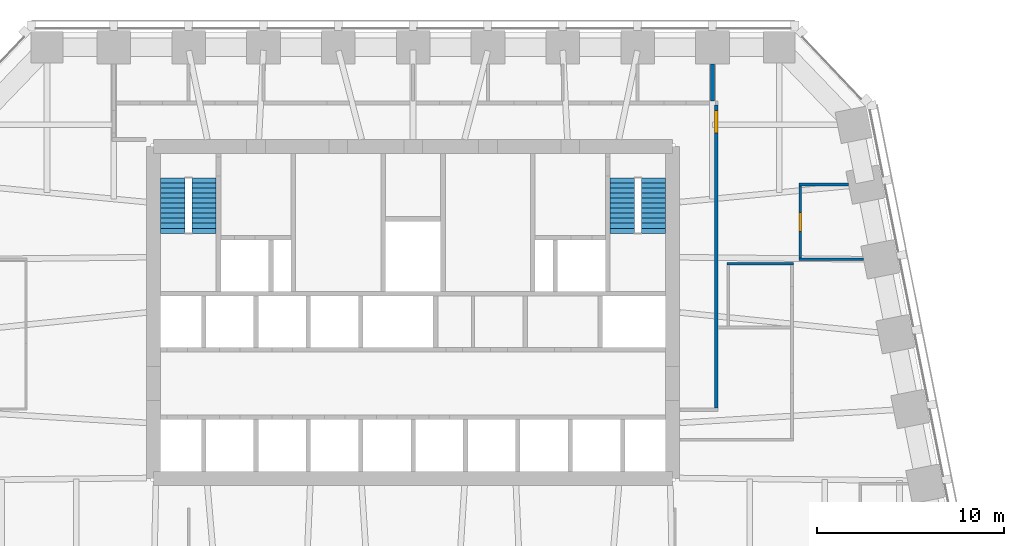
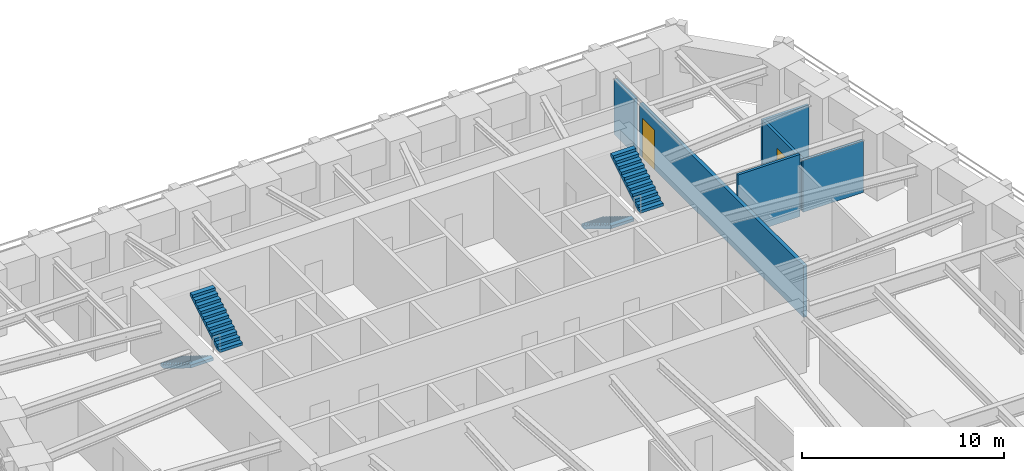
# One storey, part 8 of 10: 6 walls, 4 stair flights, 2 doors, 2 openings, 2 elements without a shape of their own.
"""IFC4 building model written with IfcOpenShell, lengths in metres."""

from ifc_helpers import new_model, si_unit, direction, frame, frame_2d, origin, place, context, subcontext, project, spatial, polyline, rectangle, outline, extrude, material, layer, layer_set, type_object, element, fill, aggregate, save


model = new_model("IFC4")

# Units and contexts
model_context = context("Model", 3, precision=1e-05, world=origin(), true_north=direction((0.0, 1.0)))
body_context = subcontext(model_context, "Body", "Model", "MODEL_VIEW")
ifc_project = project(units=[si_unit("LENGTHUNIT", "METRE"), si_unit("AREAUNIT", "SQUARE_METRE"), si_unit("VOLUMEUNIT", "CUBIC_METRE"), si_unit("PLANEANGLEUNIT", "RADIAN"), si_unit("MASSUNIT", "GRAM", prefix="KILO")], contexts=[model_context])

# Site, building, storey
site_placement = place(None, origin())
site = spatial("IfcSite", under=ifc_project, at=site_placement, CompositionType="ELEMENT")
building_placement = place(site_placement, origin())
building = spatial("IfcBuilding", under=site, at=building_placement, Name="Isbrekke Arena Tower", CompositionType="ELEMENT")
storey_placement = place(building_placement, frame((0.0, 0.0, 163.0)))
storey = spatial("IfcBuildingStorey", under=building, at=storey_placement, Name="L37", CompositionType="ELEMENT", Elevation=163.0)

# Walls
ifc_material_1 = material(Name="Gypsum board partition on steel studs", Category="steel")
ifc_layer_1 = layer(ifc_material_1, 0.14990234375)
ifc_layer_set_1 = layer_set([ifc_layer_1], Name="IW1 PARTITION 150")
wall_type_1 = type_object("IfcWallType", Name="IW1 PARTITION 150", PredefinedType="PARTITIONING", material=ifc_layer_set_1)
wall_1_placement = place(storey_placement, frame((16.77490234375, 17.60009765625, 0.0), z_axis=(0.0, 0.0, 1.0), x_axis=(1.0, 0.0, 0.0)))
element("IfcWall", 1, at=wall_1_placement, inside=storey, type_object=wall_type_1, Name="IW1 partition 150 L37", PredefinedType="PARTITIONING", context=body_context, shape_type="SweptSolid", body=[
    extrude(rectangle(XDim=3.550048828125, YDim=0.14990234375, at=frame_2d((1.77490234375, 0.0))), origin(), (0.0, 0.0, 1.0), 3.75),
])
wall_2_placement = place(storey_placement, frame((20.625, 17.840087890625, 0.0), z_axis=(0.0, 0.0, 1.0), x_axis=(1.0, 0.0, 0.0)))
element("IfcWall", 2, at=wall_2_placement, inside=storey, type_object=wall_type_1, Name="IW1 partition 150 L37", PredefinedType="PARTITIONING", context=body_context, shape_type="SweptSolid", body=[
    extrude(rectangle(XDim=3.44775390625, YDim=0.14990234375, at=frame_2d((1.723876953125, 0.0))), origin(), (0.0, 0.0, 1.0), 3.1298828125),
])
wall_3_placement = place(storey_placement, frame((20.625, 21.840087890625, 0.0), z_axis=(0.0, 0.0, 1.0), x_axis=(1.0, 0.0, 0.0)))
element("IfcWall", 3, at=wall_3_placement, inside=storey, type_object=wall_type_1, Name="IW1 partition 150 L37", PredefinedType="PARTITIONING", context=body_context, shape_type="SweptSolid", body=[
    extrude(rectangle(XDim=2.647705078125, YDim=0.14990234375, at=frame_2d((1.32373046875, 0.0))), origin(), (0.0, 0.0, 1.0), 3.1298828125),
])

# Wall, opening, door
wall_4_placement = place(storey_placement, frame((20.699951171875, 17.9150390625, 0.0), z_axis=(0.0, 0.0, 1.0), x_axis=(0.0, 1.0, 0.0)))
wall_4 = element("IfcWall", 4, at=wall_4_placement, inside=storey, type_object=wall_type_1, Name="IW1 partition 150 L37", PredefinedType="PARTITIONING", context=body_context, shape_type="SweptSolid", body=[
    extrude(rectangle(XDim=3.849853515625, YDim=0.14990234375, at=frame_2d((1.9248046875, 0.0))), origin(), (0.0, 0.0, 1.0), 3.1298828125),
])
opening_1_placement = place(wall_4_placement, frame((1.425048828125, 0.0, 0.0)))
opening_1 = element("IfcOpeningElement", 5, at=opening_1_placement, cuts=wall_4, Name="Opening D10", PredefinedType="OPENING", context=body_context, shape_type="SweptSolid", body=[
    extrude(rectangle(XDim=1.0, YDim=2.300048828125, at=frame_2d((0.5, 1.14990234375))), frame((0.0, 0.08984375, 0.0), z_axis=(0.0, -1.0, 0.0), x_axis=(1.0, 0.0, 0.0)), (0.0, 0.0, 1.0), 0.1796875),
])
ifc_material_2 = material(Name="Timber door", Category="wood")
door_type_1 = type_object("IfcDoorType", Name="D10 OFFICE DOOR 1000 x 2300", OperationType="SINGLE_SWING_LEFT", PredefinedType="DOOR", material=ifc_material_2)
door_1_placement = place(opening_1_placement, origin())
door_1 = element("IfcDoor", 6, at=door_1_placement, inside=storey, type_object=door_type_1, Name="D10 office door L37", OperationType="SINGLE_SWING_LEFT", OverallHeight=2.300048828125, OverallWidth=1.0, PredefinedType="DOOR", context=body_context, shape_type="SweptSolid", body=[
    extrude(rectangle(XDim=1.0, YDim=2.300048828125, at=frame_2d((0.5, 1.14990234375))), frame((0.0, 0.07470703125, 0.0), z_axis=(0.0, -1.0, 0.0), x_axis=(1.0, 0.0, 0.0)), (0.0, 0.0, 1.0), 0.1494140625),
])
fill(opening_1, door_1)

# Wall
ifc_material_3 = material(Name="Gypsum board fire-cell wall on steel studs, two layers each side", Category="steel")
ifc_layer_2 = layer(ifc_material_3, 0.199951171875)
ifc_layer_set_2 = layer_set([ifc_layer_2], Name="IW3 FIRE-CELL WALL 200")
wall_type_2 = type_object("IfcWallType", Name="IW3 FIRE-CELL WALL 200", PredefinedType="PARTITIONING", material=ifc_layer_set_2)
wall_5_placement = place(storey_placement, frame((16.0, 26.300048828125, 0.0), z_axis=(0.0, 0.0, 1.0), x_axis=(0.0, 1.0, 0.0)))
element("IfcWall", 7, at=wall_5_placement, inside=storey, type_object=wall_type_2, Name="IW3 fire-cell wall 200 L37", PredefinedType="PARTITIONING", context=body_context, shape_type="SweptSolid", body=[
    extrude(rectangle(XDim=1.974853515625, YDim=0.199951171875, at=frame_2d((0.9873046875, 0.0))), origin(), (0.0, 0.0, 1.0), 3.318115234375),
])

# Wall, opening, door
wall_6_placement = place(storey_placement, frame((16.199951171875, 9.89990234375, 0.0), z_axis=(0.0, 0.0, 1.0), x_axis=(0.0, 1.0, 0.0)))
wall_6 = element("IfcWall", 8, at=wall_6_placement, inside=storey, type_object=wall_type_2, Name="IW3 fire-cell wall 200 L37", PredefinedType="PARTITIONING", context=body_context, shape_type="SweptSolid", body=[
    extrude(rectangle(XDim=16.2001953125, YDim=0.199951171875, at=frame_2d((8.10009765625, 0.0))), origin(), (0.0, 0.0, 1.0), 3.1298828125),
])
opening_2_placement = place(wall_6_placement, frame((14.699951171875, 0.0, 0.0)))
opening_2 = element("IfcOpeningElement", 9, at=opening_2_placement, cuts=wall_6, Name="Opening D12", PredefinedType="OPENING", context=body_context, shape_type="SweptSolid", body=[
    extrude(rectangle(XDim=1.199951171875, YDim=2.39990234375, at=frame_2d((0.60009765625, 1.199951171875))), frame((0.0, 0.11474609375, 0.0), z_axis=(0.0, -1.0, 0.0), x_axis=(1.0, 0.0, 0.0)), (0.0, 0.0, 1.0), 0.229736328125),
])
ifc_material_4 = material(Name="Timber fire door with vision panel", Category="wood")
door_type_2 = type_object("IfcDoorType", Name="D12 SUITE ENTRANCE DOOR 1200 x 2400", OperationType="SINGLE_SWING_LEFT", PredefinedType="DOOR", material=ifc_material_4)
door_2_placement = place(opening_2_placement, origin())
door_2 = element("IfcDoor", 10, at=door_2_placement, inside=storey, type_object=door_type_2, Name="D12 suite entrance A door L37", OperationType="SINGLE_SWING_LEFT", OverallHeight=2.39990234375, OverallWidth=1.199951171875, PredefinedType="DOOR", context=body_context, shape_type="SweptSolid", body=[
    extrude(rectangle(XDim=1.199951171875, YDim=2.39990234375, at=frame_2d((0.60009765625, 1.199951171875))), frame((0.0, 0.099609375, 0.0), z_axis=(0.0, -1.0, 0.0), x_axis=(1.0, 0.0, 0.0)), (0.0, 0.0, 1.0), 0.199462890625),
])
fill(opening_2, door_2)

# Stair, stair flights
ifc_material_5 = material(Name="Concrete B45 (C45/55) precast", Category="concrete")
stair_type = type_object("IfcStairType", Name="ST40 STAIR 1300 WIDE, 24 RISERS 167", PredefinedType="HALF_TURN_STAIR", material=ifc_material_5)
stair_1_placement = place(storey_placement, origin())
stair_1 = element("IfcStair", 11, at=stair_1_placement, inside=storey, type_object=stair_type, Name="ST1 stair L37", PredefinedType="HALF_TURN_STAIR")
ifc_material_6 = material(Name="Concrete B45 (C45/55) precast", Category="concrete")
stair_flight_type = type_object("IfcStairFlightType", Name="SF 1300 FLIGHT", PredefinedType="STRAIGHT", material=ifc_material_6)
stair_flight_1_placement = place(storey_placement, frame((-12.85009765625, 22.199951171875, 0.0), z_axis=(0.0, 0.0, 1.0), x_axis=(0.0, -1.0, 0.0)))
stair_flight_1 = element("IfcStairFlight", 12, at=stair_flight_1_placement, type_object=stair_flight_type, Name="ST1 flight 1", NumberOfRisers=12, NumberOfTreads=11, PredefinedType="STRAIGHT", RiserHeight=0.166666667, TreadLength=0.27, context=body_context, shape_type="SweptSolid", body=[
    extrude(outline(polyline([(0.0, 0.0), (0.0, 0.166748046875), (0.27001953125, 0.166748046875), (0.27001953125, 0.333251953125), (0.5400390625, 0.333251953125), (0.5400390625, 0.5), (0.81005859375, 0.5), (0.81005859375, 0.666748046875), (1.080078125, 0.666748046875), (1.080078125, 0.833251953125), (1.35009765625, 0.833251953125), (1.35009765625, 1.0), (1.6201171875, 1.0), (1.6201171875, 1.166748046875), (1.889892578125, 1.166748046875), (1.889892578125, 1.333251953125), (2.159912109375, 1.333251953125), (2.159912109375, 1.5), (2.429931640625, 1.5), (2.429931640625, 1.666748046875), (2.699951171875, 1.666748046875), (2.699951171875, 1.833251953125), (2.969970703125, 1.833251953125), (2.969970703125, 2.0), (2.969970703125, 1.6572265625), (0.285400390625, 0.0), (0.0, 0.0)])), frame((0.0, 0.64990234375, 0.0), z_axis=(0.0, -1.0, 0.0), x_axis=(1.0, 0.0, 0.0)), (0.0, 0.0, 1.0), 1.300048828125),
])
stair_flight_2_placement = place(storey_placement, frame((-11.175048828125, 19.22998046875, 2.0), z_axis=(0.0, 0.0, 1.0), x_axis=(0.0, 1.0, 0.0)))
stair_flight_2 = element("IfcStairFlight", 13, at=stair_flight_2_placement, type_object=stair_flight_type, Name="ST1 flight 2", NumberOfRisers=12, NumberOfTreads=11, PredefinedType="STRAIGHT", RiserHeight=0.166666667, TreadLength=0.27, context=body_context, shape_type="SweptSolid", body=[
    extrude(outline(polyline([(0.0, 0.0), (0.0, 0.166748046875), (0.27001953125, 0.166748046875), (0.27001953125, 0.333251953125), (0.5400390625, 0.333251953125), (0.5400390625, 0.5), (0.81005859375, 0.5), (0.81005859375, 0.666748046875), (1.080078125, 0.666748046875), (1.080078125, 0.833251953125), (1.35009765625, 0.833251953125), (1.35009765625, 1.0), (1.6201171875, 1.0), (1.6201171875, 1.166748046875), (1.889892578125, 1.166748046875), (1.889892578125, 1.333251953125), (2.159912109375, 1.333251953125), (2.159912109375, 1.5), (2.429931640625, 1.5), (2.429931640625, 1.666748046875), (2.699951171875, 1.666748046875), (2.699951171875, 1.833251953125), (2.969970703125, 1.833251953125), (2.969970703125, 2.0), (2.969970703125, 1.6572265625), (0.285400390625, 0.0), (0.0, 0.0)])), frame((0.0, 0.64990234375, 0.0), z_axis=(0.0, -1.0, 0.0), x_axis=(1.0, 0.0, 0.0)), (0.0, 0.0, 1.0), 1.300048828125),
])
aggregate(stair_1, [stair_flight_1, stair_flight_2])

stair_2_placement = place(storey_placement, origin())
stair_2 = element("IfcStair", 14, at=stair_2_placement, inside=storey, type_object=stair_type, Name="ST2 stair L37", PredefinedType="HALF_TURN_STAIR")
stair_flight_3_placement = place(storey_placement, frame((11.175048828125, 22.199951171875, 0.0), z_axis=(0.0, 0.0, 1.0), x_axis=(0.0, -1.0, 0.0)))
stair_flight_3 = element("IfcStairFlight", 15, at=stair_flight_3_placement, type_object=stair_flight_type, Name="ST2 flight 1", NumberOfRisers=12, NumberOfTreads=11, PredefinedType="STRAIGHT", RiserHeight=0.166666667, TreadLength=0.27, context=body_context, shape_type="SweptSolid", body=[
    extrude(outline(polyline([(0.0, 0.0), (0.0, 0.166748046875), (0.27001953125, 0.166748046875), (0.27001953125, 0.333251953125), (0.5400390625, 0.333251953125), (0.5400390625, 0.5), (0.81005859375, 0.5), (0.81005859375, 0.666748046875), (1.080078125, 0.666748046875), (1.080078125, 0.833251953125), (1.35009765625, 0.833251953125), (1.35009765625, 1.0), (1.6201171875, 1.0), (1.6201171875, 1.166748046875), (1.889892578125, 1.166748046875), (1.889892578125, 1.333251953125), (2.159912109375, 1.333251953125), (2.159912109375, 1.5), (2.429931640625, 1.5), (2.429931640625, 1.666748046875), (2.699951171875, 1.666748046875), (2.699951171875, 1.833251953125), (2.969970703125, 1.833251953125), (2.969970703125, 2.0), (2.969970703125, 1.6572265625), (0.285400390625, 0.0), (0.0, 0.0)])), frame((0.0, 0.64990234375, 0.0), z_axis=(0.0, -1.0, 0.0), x_axis=(1.0, 0.0, 0.0)), (0.0, 0.0, 1.0), 1.300048828125),
])
stair_flight_4_placement = place(storey_placement, frame((12.85009765625, 19.22998046875, 2.0), z_axis=(0.0, 0.0, 1.0), x_axis=(0.0, 1.0, 0.0)))
stair_flight_4 = element("IfcStairFlight", 16, at=stair_flight_4_placement, type_object=stair_flight_type, Name="ST2 flight 2", NumberOfRisers=12, NumberOfTreads=11, PredefinedType="STRAIGHT", RiserHeight=0.166666667, TreadLength=0.27, context=body_context, shape_type="SweptSolid", body=[
    extrude(outline(polyline([(0.0, 0.0), (0.0, 0.166748046875), (0.27001953125, 0.166748046875), (0.27001953125, 0.333251953125), (0.5400390625, 0.333251953125), (0.5400390625, 0.5), (0.81005859375, 0.5), (0.81005859375, 0.666748046875), (1.080078125, 0.666748046875), (1.080078125, 0.833251953125), (1.35009765625, 0.833251953125), (1.35009765625, 1.0), (1.6201171875, 1.0), (1.6201171875, 1.166748046875), (1.889892578125, 1.166748046875), (1.889892578125, 1.333251953125), (2.159912109375, 1.333251953125), (2.159912109375, 1.5), (2.429931640625, 1.5), (2.429931640625, 1.666748046875), (2.699951171875, 1.666748046875), (2.699951171875, 1.833251953125), (2.969970703125, 1.833251953125), (2.969970703125, 2.0), (2.969970703125, 1.6572265625), (0.285400390625, 0.0), (0.0, 0.0)])), frame((0.0, 0.64990234375, 0.0), z_axis=(0.0, -1.0, 0.0), x_axis=(1.0, 0.0, 0.0)), (0.0, 0.0, 1.0), 1.300048828125),
])
aggregate(stair_2, [stair_flight_3, stair_flight_4])

save(model, "model.ifc")
